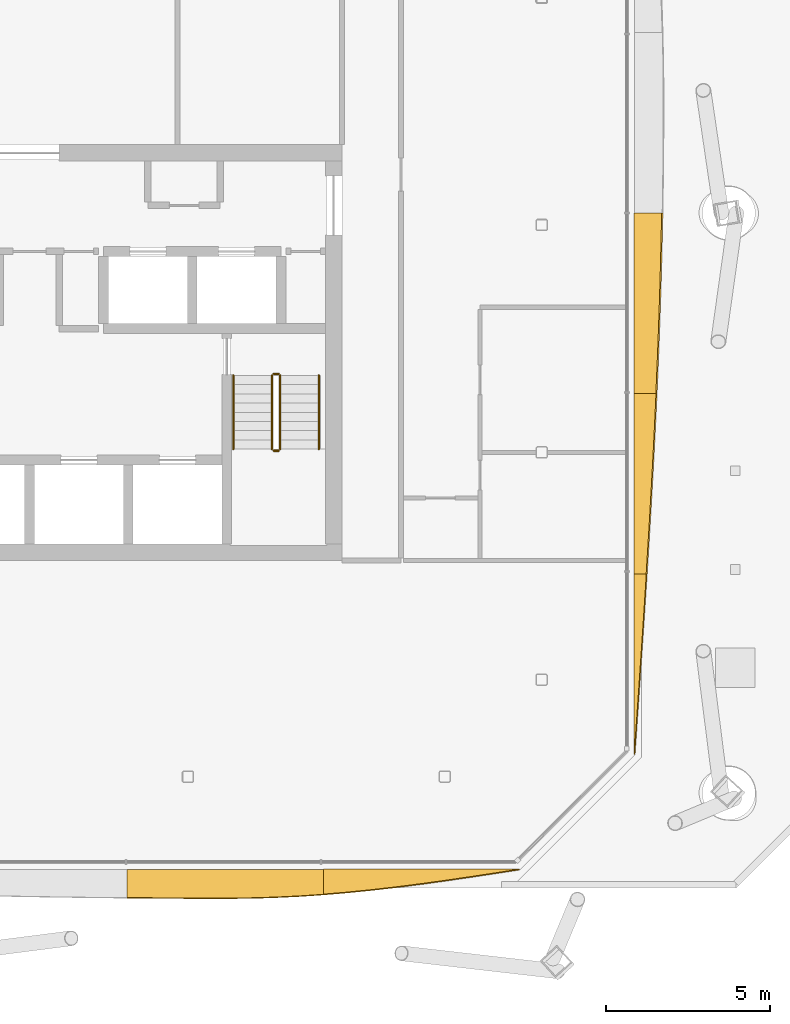
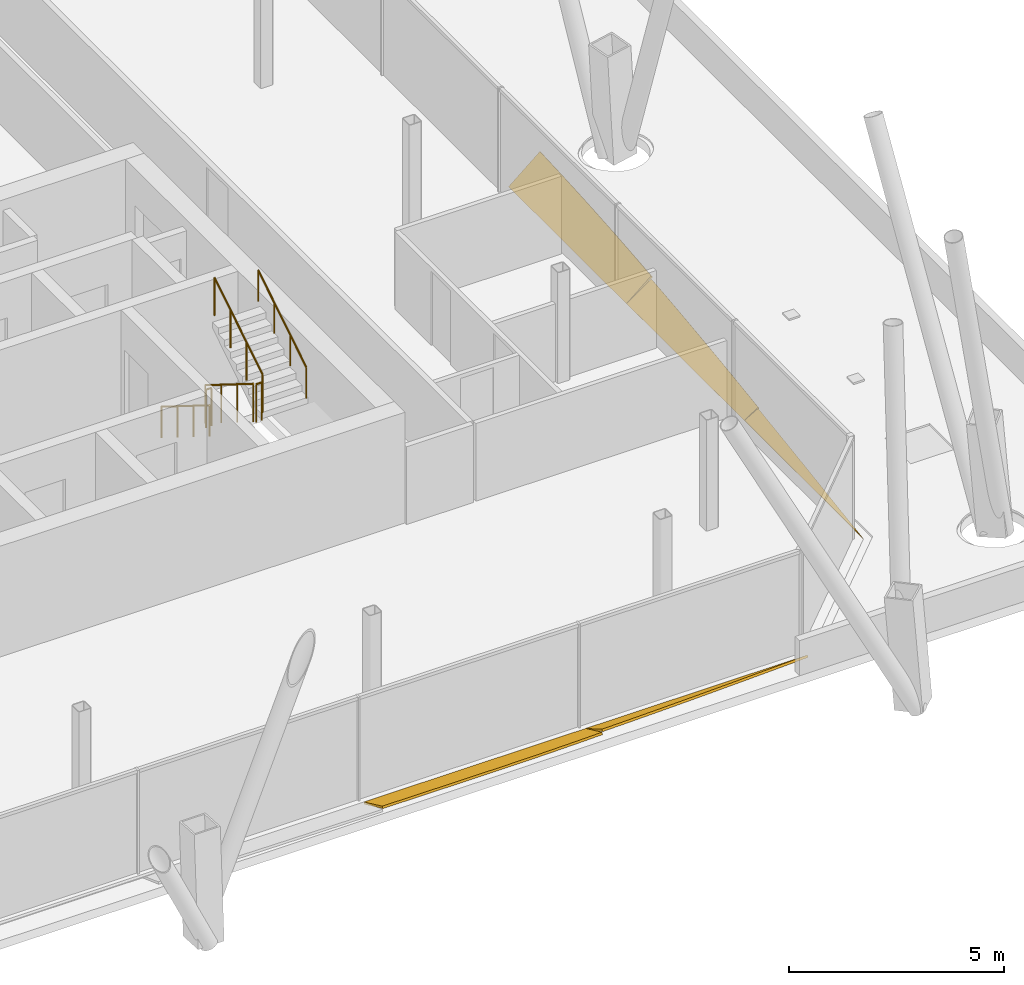
# One storey, part 19 of 21: 6 railings, 5 shading devices.
"""IFC4 building model written with IfcOpenShell, lengths in metres."""

from ifc_helpers import new_model, si_unit, direction, frame, origin, origin_2d, place, context, subcontext, project, spatial, polyline, circle, outline, extrude, material, layer, layer_set, type_object, element, save


model = new_model("IFC4")

# Units and contexts
model_context = context("Model", 3, precision=1e-05, world=origin(), true_north=direction((0.0, 1.0)))
body_context = subcontext(model_context, "Body", "Model", "MODEL_VIEW")
ifc_project = project(units=[si_unit("LENGTHUNIT", "METRE"), si_unit("AREAUNIT", "SQUARE_METRE"), si_unit("VOLUMEUNIT", "CUBIC_METRE"), si_unit("PLANEANGLEUNIT", "RADIAN"), si_unit("MASSUNIT", "GRAM", prefix="KILO")], contexts=[model_context])

# Site, building, storey
site_placement = place(None, origin())
site = spatial("IfcSite", under=ifc_project, at=site_placement, CompositionType="ELEMENT")
building_placement = place(site_placement, origin())
building = spatial("IfcBuilding", under=site, at=building_placement, Name="Tskaro Facet Tower", CompositionType="ELEMENT")
storey_placement = place(building_placement, frame((0.0, 0.0, 172.199951171875)))
storey = spatial("IfcBuildingStorey", under=building, at=storey_placement, Name="L42", CompositionType="ELEMENT", Elevation=172.199951171875)

# Shading devices
ifc_material_1 = material(Name="Bronze anodised aluminium 6063-T6", Category="aluminium")
ifc_layer = layer(ifc_material_1, 0.06005859375, Name="Bronze anodised aluminium 6063-T6")
ifc_layer_set = layer_set([ifc_layer], Name="Bronze anodised aluminium 6063-T6")
shading_device_type = type_object("IfcShadingDeviceType", Name="Bronze sun blade (FN1)", PredefinedType="USERDEFINED", material=ifc_layer_set)
shading_device_1_placement = place(storey_placement, frame((2.968017578125, -21.400634765625, 0.054443359375), z_axis=(1.3375931e-05, 0.422577046099, 0.906327004967), x_axis=(0.999999999911, -5.652362e-06, -1.2122968e-05)))
element("IfcShadingDevice", 1, at=shading_device_1_placement, inside=storey, type_object=shading_device_type, Name="Fin blade south 5", ObjectType="FIN", PredefinedType="USERDEFINED", context=body_context, shape_type="SweptSolid", body=[
    extrude(outline(polyline([(0.0, 0.0), (5.968017577591114, -5.0551075184646904e-21), (5.968017578703666, -0.8390601786409835), (5.221923827532424, -0.894324932660481), (4.476074216859979, -0.9339704126227406), (3.72998046859585, -0.9573477395965202), (3.055664062768914, -0.9643388105645074), (2.983886719025335, -0.9643388105645074), (2.2380371101165903, -0.9632473891503318), (1.4919433598021967, -0.960297564373426), (0.7460937493321109, -0.95548933623379), (-1.1636529703896951e-09, -0.9490439759728907), (0.0, 0.0)])), origin(), (0.0, 0.0, -1.0), 0.06005859375),
])
shading_device_2_placement = place(storey_placement, frame((8.93603515625, -21.39599609375, 0.052001953125), z_axis=(-2.0210914e-05, 0.500036110889, 0.866004553913), x_axis=(0.999999999796, 1.0106187e-05, 1.7502744e-05)))
element("IfcShadingDevice", 2, at=shading_device_2_placement, inside=storey, type_object=shading_device_type, Name="Fin blade south 6", ObjectType="FIN", PredefinedType="USERDEFINED", context=body_context, shape_type="SweptSolid", body=[
    extrude(outline(polyline([(0.0, 0.0), (5.968017576906089, 1.0110215036929381e-20), (5.221923827237244, -0.13278758964014756), (4.4760742165663405, -0.2632733684922881), (3.729980468756934, -0.38906617800398613), (2.9838867178723043, -0.5082870611734114), (2.2380371096508562, -0.6185448594481284), (1.4919433605541506, -0.718082694954967), (0.7458496089185992, -0.8051436898207569), (-2.64625550357163e-09, -0.8780930453009878), (0.0, 0.0)])), origin(), (0.0, 0.0, -1.0), 0.06005859375),
])
shading_device_3_placement = place(storey_placement, frame((18.39599609375, -17.904052734375, 0.052001953125), z_axis=(-0.500113925036, -3.67053e-06, 0.865959619134), x_axis=(-1.835683e-06, 0.999999999993, 3.178531e-06)))
element("IfcShadingDevice", 3, at=shading_device_3_placement, inside=storey, type_object=shading_device_type, Name="Fin blade east 1", ObjectType="FIN", PredefinedType="USERDEFINED", context=body_context, shape_type="SweptSolid", body=[
    extrude(outline(polyline([(0.0, 0.0), (5.489990234338017, -1.1625506521549958e-21), (5.489990234408838, -0.42516267929027163), (4.803710937831092, -0.37474312213568683), (4.117431640269816, -0.323323022834486), (3.43115234372519, -0.2709351617164881), (2.744873046973042, -0.21766885657810453), (2.058837890966213, -0.16385762146820726), (1.3725585936786988, -0.10937935826056597), (0.6862792963911846, -0.05490109505292465), (0.0, 0.0)])), origin(), (0.0, 0.0, -1.0), 0.06005859375),
])
shading_device_4_placement = place(storey_placement, frame((18.3916015625, -12.4140625, 0.04931640625), z_axis=(-0.573460755893, -1.9423494e-05, 0.819233032215), x_axis=(-1.1138612e-05, 0.999999999811, 1.5912368e-05)))
element("IfcShadingDevice", 4, at=shading_device_4_placement, inside=storey, type_object=shading_device_type, Name="Fin blade east 2", ObjectType="FIN", PredefinedType="USERDEFINED", context=body_context, shape_type="SweptSolid", body=[
    extrude(outline(polyline([(0.0, 0.0), (5.489746092714436, 0.0), (5.4897460946875585, -0.8151317605651596), (4.803466795221169, -0.7765902591071836), (4.1171874980856025, -0.735748667795944), (3.431152343905814, -0.6926069866314406), (2.7448730459931197, -0.6475652317427607), (2.0585937515767165, -0.6005634001327439), (1.3723144540523624, -0.5516614947985503), (0.6860351545855237, -0.5011995288721067), (-2.3139892465786924e-09, -0.4493175074207963), (0.0, 0.0)])), origin(), (0.0, 0.0, -1.0), 0.06005859375),
])
shading_device_5_placement = place(storey_placement, frame((18.387451171875, -6.92431640625, 0.0458984375), z_axis=(-0.642861997278, 8.864701e-06, 0.765982018312), x_axis=(5.698779e-06, 0.999999999961, -6.790201e-06)))
element("IfcShadingDevice", 5, at=shading_device_5_placement, inside=storey, type_object=shading_device_type, Name="Fin blade east 3", ObjectType="FIN", PredefinedType="USERDEFINED", context=body_context, shape_type="SweptSolid", body=[
    extrude(outline(polyline([(0.0, 0.0), (5.4897460935343, 4.649995813466845e-21), (5.489746093505271, -1.100573724980402), (4.803466796659148, -1.0827247242722953), (4.117431641444855, -1.0615931117089277), (3.431152343296885, -1.0374927847499198), (2.7448730461557553, -1.010109845935651), (2.058593749755006, -0.9797882513246281), (1.3725585947196277, -0.9465280009168513), (0.6862792964841112, -0.9106429921719414), (-1.0110249551417104e-09, -0.8718193276302777), (0.0, 0.0)])), origin(), (0.0, 0.0, -1.0), 0.06005859375),
])

# Railings
ifc_material_2 = material(Name="Stainless steel", Category="steel")
railing_type_1 = type_object("IfcRailingType", Name="RL-GUARD-1100", PredefinedType="GUARDRAIL", material=ifc_material_2)
railing_1_placement = place(storey_placement, frame((7.375, -6.375, 0.175048828125)))
element("IfcRailing", 6, at=railing_1_placement, inside=storey, type_object=railing_type_1, Name="L42 ST-2 stair guard 1", PredefinedType="GUARDRAIL", context=body_context, shape_type="SweptSolid", body=[
    extrude(circle(Radius=0.02392578125, at=origin_2d()), frame((0.0, 0.0, 1.076171875), z_axis=(0.0, -0.848013881152, 0.529974015752), x_axis=(1.0, 0.0, 0.0)), (0.0, 0.0, 1.0), 2.641357421875),
    extrude(circle(Radius=0.02099609375, at=origin_2d()), origin(), (0.0, 0.0, 1.0), 1.052001953125),
    extrude(circle(Radius=0.02099609375, at=origin_2d()), frame((0.0, -0.74658203125, 0.466552734375)), (0.0, 0.0, 1.0), 1.052001953125),
    extrude(circle(Radius=0.02099609375, at=origin_2d()), frame((0.0, -1.493408203125, 0.933349609375)), (0.0, 0.0, 1.0), 1.052001953125),
    extrude(circle(Radius=0.02099609375, at=origin_2d()), frame((0.0, -2.239990234375, 1.39990234375)), (0.0, 0.0, 1.0), 1.052001953125),
])
railing_2_placement = place(storey_placement, frame((7.425048828125, -8.6650390625, 1.574951171875)))
element("IfcRailing", 7, at=railing_2_placement, inside=storey, type_object=railing_type_1, Name="L42 ST-2 stair guard 2", PredefinedType="GUARDRAIL", context=body_context, shape_type="SweptSolid", body=[
    extrude(circle(Radius=0.02392578125, at=origin_2d()), frame((0.0, 0.0, 1.076171875), z_axis=(1.0, 0.0, 0.0), x_axis=(0.0, 1.0, 0.0)), (0.0, 0.0, 1.0), 0.14990234375),
    extrude(circle(Radius=0.02099609375, at=origin_2d()), origin(), (0.0, 0.0, 1.0), 1.052001953125),
    extrude(circle(Radius=0.02099609375, at=origin_2d()), frame((0.14990234375, 0.0, 0.0)), (0.0, 0.0, 1.0), 1.052001953125),
])
railing_3_placement = place(storey_placement, frame((7.625, -8.614990234375, 1.75)))
element("IfcRailing", 8, at=railing_3_placement, inside=storey, type_object=railing_type_1, Name="L42 ST-2 stair guard 3", PredefinedType="GUARDRAIL", context=body_context, shape_type="SweptSolid", body=[
    extrude(circle(Radius=0.02392578125, at=origin_2d()), frame((0.0, 0.0, 1.076171875), z_axis=(0.0, 0.847972341737, 0.530040477369), x_axis=(-1.0, 0.0, 0.0)), (0.0, 0.0, 1.0), 2.6416015625),
    extrude(circle(Radius=0.02099609375, at=origin_2d()), origin(), (0.0, 0.0, 1.0), 1.052001953125),
    extrude(circle(Radius=0.02099609375, at=origin_2d()), frame((0.0, 0.74658203125, 0.466796875)), (0.0, 0.0, 1.0), 1.052001953125),
    extrude(circle(Radius=0.02099609375, at=origin_2d()), frame((0.0, 1.493408203125, 0.933349609375)), (0.0, 0.0, 1.0), 1.052001953125),
    extrude(circle(Radius=0.02099609375, at=origin_2d()), frame((0.0, 2.239990234375, 1.400146484375)), (0.0, 0.0, 1.0), 1.052001953125),
])
railing_4_placement = place(storey_placement, frame((7.425048828125, -6.324951171875, 0.0)))
element("IfcRailing", 9, at=railing_4_placement, inside=storey, type_object=railing_type_1, Name="L42 ST-2 stair guard 4", PredefinedType="GUARDRAIL", context=body_context, shape_type="SweptSolid", body=[
    extrude(circle(Radius=0.02392578125, at=origin_2d()), frame((0.0, 0.0, 1.076171875), z_axis=(1.0, 0.0, 0.0), x_axis=(0.0, 1.0, 0.0)), (0.0, 0.0, 1.0), 0.14990234375),
    extrude(circle(Radius=0.02099609375, at=origin_2d()), origin(), (0.0, 0.0, 1.0), 1.052001953125),
    extrude(circle(Radius=0.02099609375, at=origin_2d()), frame((0.14990234375, 0.0, 0.0)), (0.0, 0.0, 1.0), 1.052001953125),
])
railing_type_2 = type_object("IfcRailingType", Name="RL-HANDRAIL-900", PredefinedType="HANDRAIL", material=ifc_material_2)
railing_5_placement = place(storey_placement, frame((6.199951171875, -6.375, 0.175048828125)))
element("IfcRailing", 10, at=railing_5_placement, inside=storey, type_object=railing_type_2, Name="L42 ST-2 stair handrail 1", PredefinedType="HANDRAIL", context=body_context, shape_type="SweptSolid", body=[
    extrude(circle(Radius=0.02392578125, at=origin_2d()), frame((0.0, 0.0, 0.8759765625), z_axis=(0.0, -0.848013881152, 0.529974015752), x_axis=(1.0, 0.0, 0.0)), (0.0, 0.0, 1.0), 2.641357421875),
    extrude(circle(Radius=0.02099609375, at=origin_2d()), origin(), (0.0, 0.0, 1.0), 0.851806640625),
    extrude(circle(Radius=0.02099609375, at=origin_2d()), frame((0.0, -0.74658203125, 0.466552734375)), (0.0, 0.0, 1.0), 0.851806640625),
    extrude(circle(Radius=0.02099609375, at=origin_2d()), frame((0.0, -1.493408203125, 0.933349609375)), (0.0, 0.0, 1.0), 0.851806640625),
    extrude(circle(Radius=0.02099609375, at=origin_2d()), frame((0.0, -2.239990234375, 1.39990234375)), (0.0, 0.0, 1.0), 0.851806640625),
])
railing_6_placement = place(storey_placement, frame((8.800048828125, -8.614990234375, 1.75)))
element("IfcRailing", 11, at=railing_6_placement, inside=storey, type_object=railing_type_2, Name="L42 ST-2 stair handrail 2", PredefinedType="HANDRAIL", context=body_context, shape_type="SweptSolid", body=[
    extrude(circle(Radius=0.02392578125, at=origin_2d()), frame((0.0, 0.0, 0.8759765625), z_axis=(0.0, 0.847972341737, 0.530040477369), x_axis=(-1.0, 0.0, 0.0)), (0.0, 0.0, 1.0), 2.6416015625),
    extrude(circle(Radius=0.02099609375, at=origin_2d()), origin(), (0.0, 0.0, 1.0), 0.851806640625),
    extrude(circle(Radius=0.02099609375, at=origin_2d()), frame((0.0, 0.74658203125, 0.466796875)), (0.0, 0.0, 1.0), 0.851806640625),
    extrude(circle(Radius=0.02099609375, at=origin_2d()), frame((0.0, 1.493408203125, 0.933349609375)), (0.0, 0.0, 1.0), 0.851806640625),
    extrude(circle(Radius=0.02099609375, at=origin_2d()), frame((0.0, 2.239990234375, 1.400146484375)), (0.0, 0.0, 1.0), 0.851806640625),
])

save(model, "model.ifc")
